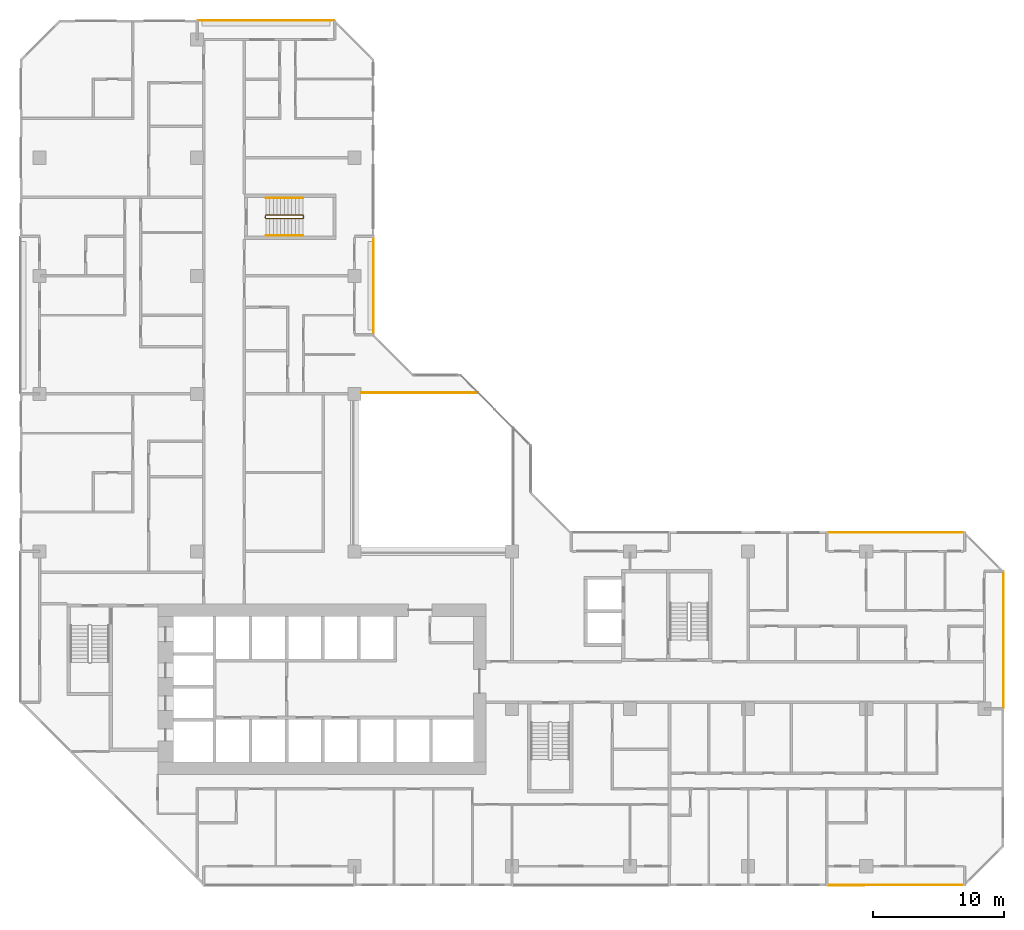
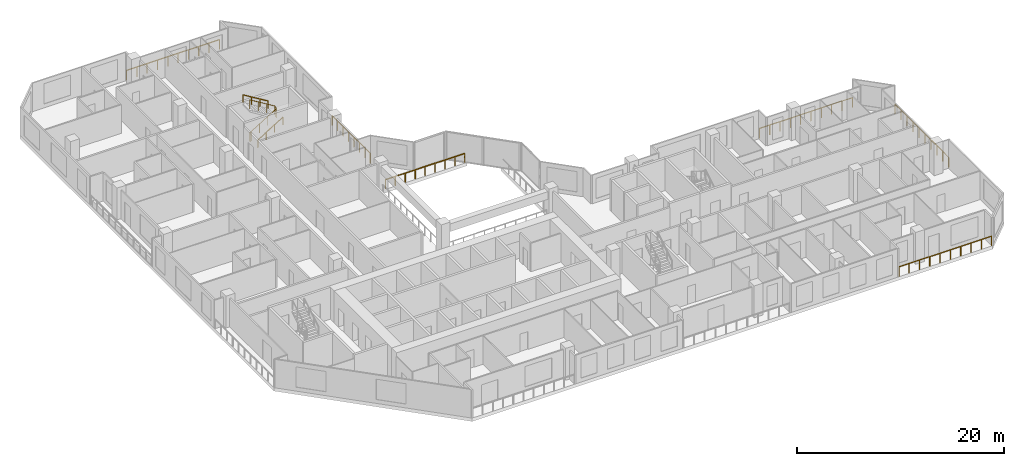
# One storey, part 15 of 15: 9 railings.
"""IFC4 building model written with IfcOpenShell, lengths in metres."""

from ifc_helpers import new_model, si_unit, direction, frame, origin, origin_2d, place, context, subcontext, project, spatial, rectangle, extrude, material, type_object, element, save


model = new_model("IFC4")

# Units and contexts
model_context = context("Model", 3, precision=1e-05, world=origin(), true_north=direction((0.0, 1.0)))
body_context = subcontext(model_context, "Body", "Model", "MODEL_VIEW")
ifc_project = project(units=[si_unit("LENGTHUNIT", "METRE"), si_unit("AREAUNIT", "SQUARE_METRE"), si_unit("VOLUMEUNIT", "CUBIC_METRE"), si_unit("PLANEANGLEUNIT", "RADIAN"), si_unit("MASSUNIT", "GRAM", prefix="KILO")], contexts=[model_context])

# Site, building, storey
site_placement = place(None, origin())
site = spatial("IfcSite", under=ifc_project, at=site_placement, CompositionType="ELEMENT")
building_placement = place(site_placement, origin())
building = spatial("IfcBuilding", under=site, at=building_placement, Name="Chenar Terraces", CompositionType="ELEMENT")
storey_placement = place(building_placement, frame((0.0, 0.0, 133.14990234375)))
storey = spatial("IfcBuildingStorey", under=building, at=storey_placement, Name="L31", CompositionType="ELEMENT", Elevation=133.14990234375)

# Railings
ifc_material_1 = material(Name="Powder-coated steel", Category="steel")
railing_type_1 = type_object("IfcRailingType", Name="Guard 1100 steel rail with glass infill", PredefinedType="GUARDRAIL", material=ifc_material_1)
railing_1_placement = place(storey_placement, frame((24.550048828125, 36.10009765625, 0.0)))
element("IfcRailing", 1, at=railing_1_placement, inside=storey, type_object=railing_type_1, Name="Guard L31-2", PredefinedType="GUARDRAIL", context=body_context, shape_type="SweptSolid", body=[
    extrude(rectangle(XDim=0.06005859375, YDim=0.06005859375, at=origin_2d()), frame((0.0, 0.0, 1.070068359375), z_axis=(1.0, 0.0, 0.0), x_axis=(0.0, 1.0, 0.0)), (0.0, 0.0, 1.0), 8.849853515625),
    extrude(rectangle(XDim=0.050048828125, YDim=0.050048828125, at=origin_2d()), origin(), (0.0, 0.0, 1.0), 1.0400390625),
    extrude(rectangle(XDim=0.050048828125, YDim=0.050048828125, at=origin_2d()), frame((1.106201171875, 0.0, 0.0)), (0.0, 0.0, 1.0), 1.0400390625),
    extrude(rectangle(XDim=0.050048828125, YDim=0.050048828125, at=origin_2d()), frame((2.21240234375, 0.0, 0.0)), (0.0, 0.0, 1.0), 1.0400390625),
    extrude(rectangle(XDim=0.050048828125, YDim=0.050048828125, at=origin_2d()), frame((3.318603515625, 0.0, 0.0)), (0.0, 0.0, 1.0), 1.0400390625),
    extrude(rectangle(XDim=0.050048828125, YDim=0.050048828125, at=origin_2d()), frame((4.4248046875, 0.0, 0.0)), (0.0, 0.0, 1.0), 1.0400390625),
    extrude(rectangle(XDim=0.050048828125, YDim=0.050048828125, at=origin_2d()), frame((5.53125, 0.0, 0.0)), (0.0, 0.0, 1.0), 1.0400390625),
    extrude(rectangle(XDim=0.050048828125, YDim=0.050048828125, at=origin_2d()), frame((6.637451171875, 0.0, 0.0)), (0.0, 0.0, 1.0), 1.0400390625),
    extrude(rectangle(XDim=0.050048828125, YDim=0.050048828125, at=origin_2d()), frame((7.74365234375, 0.0, 0.0)), (0.0, 0.0, 1.0), 1.0400390625),
    extrude(rectangle(XDim=0.050048828125, YDim=0.050048828125, at=origin_2d()), frame((8.849853515625, 0.0, 0.0)), (0.0, 0.0, 1.0), 1.0400390625),
])
ifc_material_2 = material(Name="Stainless steel and glass", Category="steel")
railing_type_2 = type_object("IfcRailingType", Name="Loggia guard 1150", PredefinedType="GUARDRAIL", material=ifc_material_2)
railing_2_placement = place(storey_placement, frame((25.449951171875, 40.574951171875, 0.0)))
element("IfcRailing", 2, at=railing_2_placement, inside=storey, type_object=railing_type_2, Name="Loggia guard", PredefinedType="GUARDRAIL", context=body_context, shape_type="SweptSolid", body=[
    extrude(rectangle(XDim=0.048095703125, YDim=0.048095703125, at=origin_2d()), frame((0.0, 0.0, 1.1259765625), z_axis=(0.0, 1.0, 0.0), x_axis=(-1.0, 0.0, 0.0)), (0.0, 0.0, 1.0), 7.35009765625),
    extrude(rectangle(XDim=0.0419921875, YDim=0.0419921875, at=origin_2d()), origin(), (0.0, 0.0, 1.0), 1.101806640625),
    extrude(rectangle(XDim=0.0419921875, YDim=0.0419921875, at=origin_2d()), frame((0.0, 1.050048828125, 0.0)), (0.0, 0.0, 1.0), 1.101806640625),
    extrude(rectangle(XDim=0.0419921875, YDim=0.0419921875, at=origin_2d()), frame((0.0, 2.10009765625, 0.0)), (0.0, 0.0, 1.0), 1.101806640625),
    extrude(rectangle(XDim=0.0419921875, YDim=0.0419921875, at=origin_2d()), frame((0.0, 3.150146484375, 0.0)), (0.0, 0.0, 1.0), 1.101806640625),
    extrude(rectangle(XDim=0.0419921875, YDim=0.0419921875, at=origin_2d()), frame((0.0, 4.199951171875, 0.0)), (0.0, 0.0, 1.0), 1.101806640625),
    extrude(rectangle(XDim=0.0419921875, YDim=0.0419921875, at=origin_2d()), frame((0.0, 5.25, 0.0)), (0.0, 0.0, 1.0), 1.101806640625),
    extrude(rectangle(XDim=0.0419921875, YDim=0.0419921875, at=origin_2d()), frame((0.0, 6.300048828125, 0.0)), (0.0, 0.0, 1.0), 1.101806640625),
    extrude(rectangle(XDim=0.0419921875, YDim=0.0419921875, at=origin_2d()), frame((0.0, 7.35009765625, 0.0)), (0.0, 0.0, 1.0), 1.101806640625),
])
railing_3_placement = place(storey_placement, frame((73.449951171875, 12.074951171875, 0.0)))
element("IfcRailing", 3, at=railing_3_placement, inside=storey, type_object=railing_type_2, Name="Loggia guard", PredefinedType="GUARDRAIL", context=body_context, shape_type="SweptSolid", body=[
    extrude(rectangle(XDim=0.048095703125, YDim=0.048095703125, at=origin_2d()), frame((0.0, 0.0, 1.1259765625), z_axis=(0.0, 1.0, 0.0), x_axis=(-1.0, 0.0, 0.0)), (0.0, 0.0, 1.0), 10.35009765625),
    extrude(rectangle(XDim=0.0419921875, YDim=0.0419921875, at=origin_2d()), origin(), (0.0, 0.0, 1.0), 1.101806640625),
    extrude(rectangle(XDim=0.0419921875, YDim=0.0419921875, at=origin_2d()), frame((0.0, 1.14990234375, 0.0)), (0.0, 0.0, 1.0), 1.101806640625),
    extrude(rectangle(XDim=0.0419921875, YDim=0.0419921875, at=origin_2d()), frame((0.0, 2.300048828125, 0.0)), (0.0, 0.0, 1.0), 1.101806640625),
    extrude(rectangle(XDim=0.0419921875, YDim=0.0419921875, at=origin_2d()), frame((0.0, 3.449951171875, 0.0)), (0.0, 0.0, 1.0), 1.101806640625),
    extrude(rectangle(XDim=0.0419921875, YDim=0.0419921875, at=origin_2d()), frame((0.0, 4.60009765625, 0.0)), (0.0, 0.0, 1.0), 1.101806640625),
    extrude(rectangle(XDim=0.0419921875, YDim=0.0419921875, at=origin_2d()), frame((0.0, 5.75, 0.0)), (0.0, 0.0, 1.0), 1.101806640625),
    extrude(rectangle(XDim=0.0419921875, YDim=0.0419921875, at=origin_2d()), frame((0.0, 6.900146484375, 0.0)), (0.0, 0.0, 1.0), 1.101806640625),
    extrude(rectangle(XDim=0.0419921875, YDim=0.0419921875, at=origin_2d()), frame((0.0, 8.050048828125, 0.0)), (0.0, 0.0, 1.0), 1.101806640625),
    extrude(rectangle(XDim=0.0419921875, YDim=0.0419921875, at=origin_2d()), frame((0.0, 9.2001953125, 0.0)), (0.0, 0.0, 1.0), 1.101806640625),
    extrude(rectangle(XDim=0.0419921875, YDim=0.0419921875, at=origin_2d()), frame((0.0, 10.35009765625, 0.0)), (0.0, 0.0, 1.0), 1.101806640625),
])
for number, where, name in (
    (4, (70.425048828125, 25.449951171875, 0.0), "Loggia guard"),
    (5, (22.425048828125, 64.449951171875, 0.0), "Loggia guard"),
):
    element("IfcRailing", number, at=place(storey_placement, frame(where)), inside=storey, type_object=railing_type_2, Name=name, PredefinedType="GUARDRAIL", context=body_context, shape_type="SweptSolid", body=[
        extrude(rectangle(XDim=0.048095703125, YDim=0.048095703125, at=origin_2d()), frame((0.0, 0.0, 1.1259765625), z_axis=(-1.0, 0.0, 0.0), x_axis=(0.0, -1.0, 0.0)), (0.0, 0.0, 1.0), 10.35009765625),
        extrude(rectangle(XDim=0.0419921875, YDim=0.0419921875, at=origin_2d()), origin(), (0.0, 0.0, 1.0), 1.101806640625),
        extrude(rectangle(XDim=0.0419921875, YDim=0.0419921875, at=origin_2d()), frame((-1.14990234375, 0.0, 0.0)), (0.0, 0.0, 1.0), 1.101806640625),
        extrude(rectangle(XDim=0.0419921875, YDim=0.0419921875, at=origin_2d()), frame((-2.300048828125, 0.0, 0.0)), (0.0, 0.0, 1.0), 1.101806640625),
        extrude(rectangle(XDim=0.0419921875, YDim=0.0419921875, at=origin_2d()), frame((-3.449951171875, 0.0, 0.0)), (0.0, 0.0, 1.0), 1.101806640625),
        extrude(rectangle(XDim=0.0419921875, YDim=0.0419921875, at=origin_2d()), frame((-4.60009765625, 0.0, 0.0)), (0.0, 0.0, 1.0), 1.101806640625),
        extrude(rectangle(XDim=0.0419921875, YDim=0.0419921875, at=origin_2d()), frame((-5.75, 0.0, 0.0)), (0.0, 0.0, 1.0), 1.101806640625),
        extrude(rectangle(XDim=0.0419921875, YDim=0.0419921875, at=origin_2d()), frame((-6.900146484375, 0.0, 0.0)), (0.0, 0.0, 1.0), 1.101806640625),
        extrude(rectangle(XDim=0.0419921875, YDim=0.0419921875, at=origin_2d()), frame((-8.050048828125, 0.0, 0.0)), (0.0, 0.0, 1.0), 1.101806640625),
        extrude(rectangle(XDim=0.0419921875, YDim=0.0419921875, at=origin_2d()), frame((-9.2001953125, 0.0, 0.0)), (0.0, 0.0, 1.0), 1.101806640625),
        extrude(rectangle(XDim=0.0419921875, YDim=0.0419921875, at=origin_2d()), frame((-10.35009765625, 0.0, 0.0)), (0.0, 0.0, 1.0), 1.101806640625),
    ])
railing_4_placement = place(storey_placement, frame((60.074951171875, -1.449951171875, 0.0)))
element("IfcRailing", 6, at=railing_4_placement, inside=storey, type_object=railing_type_2, Name="Loggia guard", PredefinedType="GUARDRAIL", context=body_context, shape_type="SweptSolid", body=[
    extrude(rectangle(XDim=0.048095703125, YDim=0.048095703125, at=origin_2d()), frame((0.0, 0.0, 1.1259765625), z_axis=(1.0, 0.0, 0.0), x_axis=(0.0, 1.0, 0.0)), (0.0, 0.0, 1.0), 10.35009765625),
    extrude(rectangle(XDim=0.0419921875, YDim=0.0419921875, at=origin_2d()), origin(), (0.0, 0.0, 1.0), 1.101806640625),
    extrude(rectangle(XDim=0.0419921875, YDim=0.0419921875, at=origin_2d()), frame((1.14990234375, 0.0, 0.0)), (0.0, 0.0, 1.0), 1.101806640625),
    extrude(rectangle(XDim=0.0419921875, YDim=0.0419921875, at=origin_2d()), frame((2.300048828125, 0.0, 0.0)), (0.0, 0.0, 1.0), 1.101806640625),
    extrude(rectangle(XDim=0.0419921875, YDim=0.0419921875, at=origin_2d()), frame((3.449951171875, 0.0, 0.0)), (0.0, 0.0, 1.0), 1.101806640625),
    extrude(rectangle(XDim=0.0419921875, YDim=0.0419921875, at=origin_2d()), frame((4.60009765625, 0.0, 0.0)), (0.0, 0.0, 1.0), 1.101806640625),
    extrude(rectangle(XDim=0.0419921875, YDim=0.0419921875, at=origin_2d()), frame((5.75, 0.0, 0.0)), (0.0, 0.0, 1.0), 1.101806640625),
    extrude(rectangle(XDim=0.0419921875, YDim=0.0419921875, at=origin_2d()), frame((6.900146484375, 0.0, 0.0)), (0.0, 0.0, 1.0), 1.101806640625),
    extrude(rectangle(XDim=0.0419921875, YDim=0.0419921875, at=origin_2d()), frame((8.050048828125, 0.0, 0.0)), (0.0, 0.0, 1.0), 1.101806640625),
    extrude(rectangle(XDim=0.0419921875, YDim=0.0419921875, at=origin_2d()), frame((9.2001953125, 0.0, 0.0)), (0.0, 0.0, 1.0), 1.101806640625),
    extrude(rectangle(XDim=0.0419921875, YDim=0.0419921875, at=origin_2d()), frame((10.35009765625, 0.0, 0.0)), (0.0, 0.0, 1.0), 1.101806640625),
])
ifc_material_3 = material(Name="Powder-coated steel", Category="steel")
railing_type_3 = type_object("IfcRailingType", Name="Stair guard 1100", PredefinedType="GUARDRAIL", material=ifc_material_3)
railing_5_placement = place(storey_placement, frame((17.25, 49.625, 3.75)))
element("IfcRailing", 7, at=railing_5_placement, inside=storey, type_object=railing_type_3, Name="L31 ST4 stair guard 1", PredefinedType="GUARDRAIL", context=body_context, shape_type="SweptSolid", body=[
    extrude(rectangle(XDim=0.048095703125, YDim=0.048095703125, at=origin_2d()), frame((0.0, 0.0, 1.076171875), z_axis=(0.854202870247, 0.0, -0.519939858505), x_axis=(0.0, 1.0, 0.0)), (0.0, 0.0, 1.0), 3.278076171875),
    extrude(rectangle(XDim=0.048095703125, YDim=0.048095703125, at=origin_2d()), frame((2.800048828125, 0.0, -0.62841796875), z_axis=(0.270899902878, -0.270899902878, -0.923702595667), x_axis=(0.707106781187, 0.707106781187, 0.0)), (0.0, 0.0, 1.0), 0.184814453125),
    extrude(rectangle(XDim=0.048095703125, YDim=0.048095703125, at=origin_2d()), frame((2.85009765625, -0.050048828125, -0.798828125), z_axis=(0.0, -1.0, 0.0), x_axis=(1.0, 0.0, 0.0)), (0.0, 0.0, 1.0), 0.14990234375),
    extrude(rectangle(XDim=0.048095703125, YDim=0.048095703125, at=origin_2d()), frame((2.85009765625, -0.199951171875, -0.798828125), z_axis=(-0.707106781187, -0.707106781187, 0.0), x_axis=(0.707106781187, -0.707106781187, 0.0)), (0.0, 0.0, 1.0), 0.07080078125),
    extrude(rectangle(XDim=0.048095703125, YDim=0.048095703125, at=origin_2d()), frame((2.800048828125, -0.25, -0.798828125), z_axis=(-0.854202870247, 0.0, -0.519939858505), x_axis=(0.0, -1.0, 0.0)), (0.0, 0.0, 1.0), 3.278076171875),
    extrude(rectangle(XDim=0.048095703125, YDim=0.048095703125, at=origin_2d()), frame((0.0, -0.25, -2.50341796875), z_axis=(-0.270899902878, 0.270899902878, -0.923702595667), x_axis=(-0.707106781187, -0.707106781187, 0.0)), (0.0, 0.0, 1.0), 0.184814453125),
    extrude(rectangle(XDim=0.048095703125, YDim=0.048095703125, at=origin_2d()), frame((-0.050048828125, -0.199951171875, -2.673828125), z_axis=(0.0, 1.0, 0.0), x_axis=(-1.0, 0.0, 0.0)), (0.0, 0.0, 1.0), 0.14990234375),
    extrude(rectangle(XDim=0.0419921875, YDim=0.0419921875, at=origin_2d()), origin(), (0.0, 0.0, 1.0), 1.052001953125),
    extrude(rectangle(XDim=0.0419921875, YDim=0.0419921875, at=origin_2d()), frame((0.933349609375, 0.0, -0.568115234375)), (0.0, 0.0, 1.0), 1.052001953125),
    extrude(rectangle(XDim=0.0419921875, YDim=0.0419921875, at=origin_2d()), frame((1.86669921875, 0.0, -1.13623046875)), (0.0, 0.0, 1.0), 1.052001953125),
    extrude(rectangle(XDim=0.0419921875, YDim=0.0419921875, at=origin_2d()), frame((2.800048828125, 0.0, -1.704345703125)), (0.0, 0.0, 1.0), 1.052001953125),
    extrude(rectangle(XDim=0.0419921875, YDim=0.0419921875, at=origin_2d()), frame((2.85009765625, -0.050048828125, -1.875)), (0.0, 0.0, 1.0), 1.052001953125),
    extrude(rectangle(XDim=0.0419921875, YDim=0.0419921875, at=origin_2d()), frame((2.85009765625, -0.199951171875, -1.875)), (0.0, 0.0, 1.0), 1.052001953125),
    extrude(rectangle(XDim=0.0419921875, YDim=0.0419921875, at=origin_2d()), frame((2.800048828125, -0.25, -1.875)), (0.0, 0.0, 1.0), 1.052001953125),
    extrude(rectangle(XDim=0.0419921875, YDim=0.0419921875, at=origin_2d()), frame((1.86669921875, -0.25, -2.443115234375)), (0.0, 0.0, 1.0), 1.052001953125),
    extrude(rectangle(XDim=0.0419921875, YDim=0.0419921875, at=origin_2d()), frame((0.933349609375, -0.25, -3.01123046875)), (0.0, 0.0, 1.0), 1.052001953125),
    extrude(rectangle(XDim=0.0419921875, YDim=0.0419921875, at=origin_2d()), frame((0.0, -0.25, -3.579345703125)), (0.0, 0.0, 1.0), 1.052001953125),
    extrude(rectangle(XDim=0.0419921875, YDim=0.0419921875, at=origin_2d()), frame((-0.050048828125, -0.199951171875, -3.75)), (0.0, 0.0, 1.0), 1.052001953125),
    extrude(rectangle(XDim=0.0419921875, YDim=0.0419921875, at=origin_2d()), frame((-0.050048828125, -0.050048828125, -3.75)), (0.0, 0.0, 1.0), 1.052001953125),
])
ifc_material_4 = material(Name="Powder-coated steel", Category="steel")
railing_type_4 = type_object("IfcRailingType", Name="Stair handrail 900", PredefinedType="HANDRAIL", material=ifc_material_4)
railing_6_placement = place(storey_placement, frame((17.25, 48.074951171875, 0.170654296875)))
element("IfcRailing", 8, at=railing_6_placement, inside=storey, type_object=railing_type_4, Name="L31 ST4 stair handrail 1", PredefinedType="HANDRAIL", context=body_context, shape_type="SweptSolid", body=[
    extrude(rectangle(XDim=0.048095703125, YDim=0.048095703125, at=origin_2d()), frame((0.0, 0.0, 0.8759765625), z_axis=(0.854202870247, 0.0, 0.519939858505), x_axis=(0.0, 1.0, 0.0)), (0.0, 0.0, 1.0), 3.278076171875),
    extrude(rectangle(XDim=0.0419921875, YDim=0.0419921875, at=origin_2d()), origin(), (0.0, 0.0, 1.0), 0.851806640625),
    extrude(rectangle(XDim=0.0419921875, YDim=0.0419921875, at=origin_2d()), frame((0.933349609375, 0.0, 0.568115234375)), (0.0, 0.0, 1.0), 0.851806640625),
    extrude(rectangle(XDim=0.0419921875, YDim=0.0419921875, at=origin_2d()), frame((1.86669921875, 0.0, 1.13623046875)), (0.0, 0.0, 1.0), 0.851806640625),
    extrude(rectangle(XDim=0.0419921875, YDim=0.0419921875, at=origin_2d()), frame((2.800048828125, 0.0, 1.704345703125)), (0.0, 0.0, 1.0), 0.851806640625),
])
railing_7_placement = place(storey_placement, frame((20.050048828125, 50.925048828125, 2.045654296875)))
element("IfcRailing", 9, at=railing_7_placement, inside=storey, type_object=railing_type_4, Name="L31 ST4 stair handrail 2", PredefinedType="HANDRAIL", context=body_context, shape_type="SweptSolid", body=[
    extrude(rectangle(XDim=0.048095703125, YDim=0.048095703125, at=origin_2d()), frame((0.0, 0.0, 0.8759765625), z_axis=(-0.854202870247, 0.0, 0.519939858505), x_axis=(0.0, -1.0, 0.0)), (0.0, 0.0, 1.0), 3.278076171875),
    extrude(rectangle(XDim=0.0419921875, YDim=0.0419921875, at=origin_2d()), origin(), (0.0, 0.0, 1.0), 0.851806640625),
    extrude(rectangle(XDim=0.0419921875, YDim=0.0419921875, at=origin_2d()), frame((-0.933349609375, 0.0, 0.568115234375)), (0.0, 0.0, 1.0), 0.851806640625),
    extrude(rectangle(XDim=0.0419921875, YDim=0.0419921875, at=origin_2d()), frame((-1.86669921875, 0.0, 1.13623046875)), (0.0, 0.0, 1.0), 0.851806640625),
    extrude(rectangle(XDim=0.0419921875, YDim=0.0419921875, at=origin_2d()), frame((-2.800048828125, 0.0, 1.704345703125)), (0.0, 0.0, 1.0), 0.851806640625),
])

save(model, "model.ifc")
